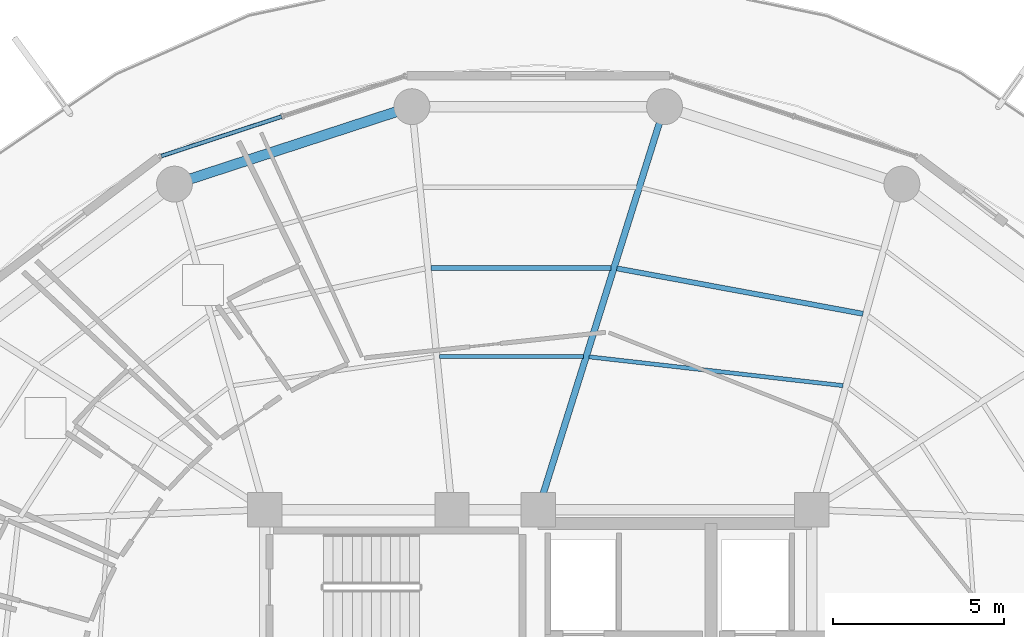
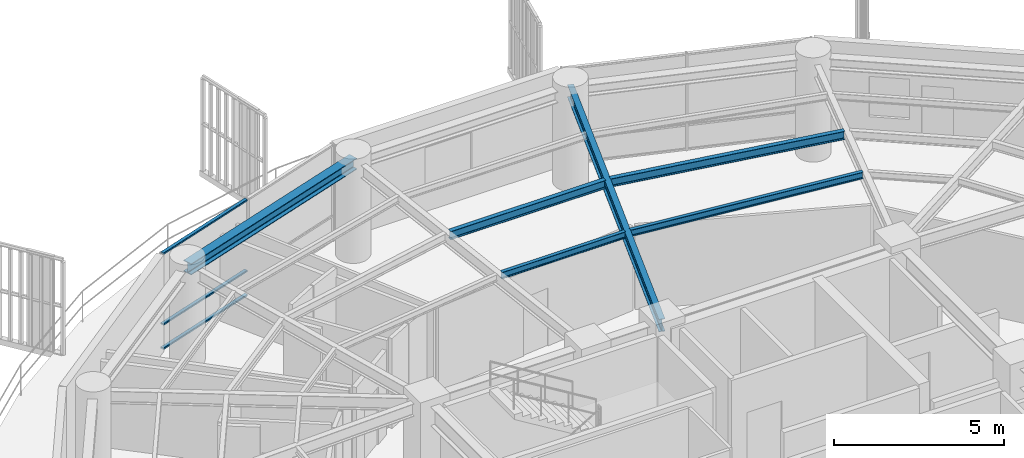
# One storey, part 19 of 31: 6 beams, 3 members, 1 element without a shape of its own.
"""IFC4 building model written with IfcOpenShell, lengths in metres."""

from ifc_helpers import new_model, si_unit, direction, frame, origin, origin_2d, place, context, subcontext, project, spatial, hollow_rectangle, i_section, extrude, material, layer, layer_set, material_profile, profile_set, type_object, element, aggregate, save


model = new_model("IFC4")

# Units and contexts
model_context = context("Model", 3, precision=1e-05, world=origin(), true_north=direction((0.0, 1.0)))
body_context = subcontext(model_context, "Body", "Model", "MODEL_VIEW")
ifc_project = project(units=[si_unit("LENGTHUNIT", "METRE"), si_unit("AREAUNIT", "SQUARE_METRE"), si_unit("VOLUMEUNIT", "CUBIC_METRE"), si_unit("PLANEANGLEUNIT", "RADIAN"), si_unit("MASSUNIT", "GRAM", prefix="KILO")], contexts=[model_context])

# Site, building, storey
site_placement = place(None, origin())
site = spatial("IfcSite", under=ifc_project, at=site_placement, CompositionType="ELEMENT")
building_placement = place(site_placement, origin())
building = spatial("IfcBuilding", under=site, at=building_placement, Name="Kelanora Arch Commons", CompositionType="ELEMENT")
storey_placement = place(building_placement, frame((0.0, 0.0, 219.449951171875)))
storey = spatial("IfcBuildingStorey", under=building, at=storey_placement, Name="L56", CompositionType="ELEMENT", Elevation=219.449951171875)

# Beams
ifc_material_1 = material(Name="Steel S355", Category="steel")
ifc_material_profile_1 = material_profile(ifc_material_1, i_section(OverallWidth=0.14990234375, OverallDepth=0.300048828125, WebThickness=0.007080078125, FlangeThickness=0.0107421875, FilletRadius=0.014892578125, at=origin_2d()), Name="IPE300")
ifc_profile_set_1 = profile_set([ifc_material_profile_1], Name="Steel S355")
beam_type_1 = type_object("IfcBeamType", Name="BM-JST-01", PredefinedType="JOIST", material=ifc_profile_set_1)
beam_1_placement = place(storey_placement, frame((83.50048828125, 70.729736328125, 3.340087890625), z_axis=(-0.983389964671, 0.181505309519, 0.0), x_axis=(-0.181505309519, -0.983389964671, 0.0)))
element("IfcBeam", 1, at=beam_1_placement, inside=storey, type_object=beam_type_1, Name="Secondary Chord Joist BJB-06 L56", PredefinedType="JOIST", context=body_context, shape_type="SweptSolid", body=[
    extrude(i_section(OverallWidth=0.14990234375, OverallDepth=0.300048828125, WebThickness=0.007080078125, FlangeThickness=0.0107421875, FilletRadius=0.014892578125, at=origin_2d()), origin(), (0.0, 0.0, 1.0), 7.3212890625),
])
beam_2_placement = place(storey_placement, frame((76.132080078125, 72.07421875, 3.340087890625), z_axis=(-1.0, 0.0, 0.0), x_axis=(0.0, -1.0, 0.0)))
element("IfcBeam", 2, at=beam_2_placement, inside=storey, type_object=beam_type_1, Name="Secondary Chord Joist BJB-08 L56", PredefinedType="JOIST", context=body_context, shape_type="SweptSolid", body=[
    extrude(i_section(OverallWidth=0.14990234375, OverallDepth=0.300048828125, WebThickness=0.007080078125, FlangeThickness=0.0107421875, FilletRadius=0.014892578125, at=origin_2d()), origin(), (0.0, 0.0, 1.0), 5.272216796875),
])
ifc_material_profile_2 = material_profile(ifc_material_1, i_section(OverallWidth=0.1201171875, OverallDepth=0.239990234375, WebThickness=0.006103515625, FlangeThickness=0.009765625, FilletRadius=0.014892578125, at=origin_2d()), Name="IPE240")
ifc_profile_set_2 = profile_set([ifc_material_profile_2], Name="Steel S355")
beam_type_2 = type_object("IfcBeamType", Name="BM-JST-02", PredefinedType="JOIST", material=ifc_profile_set_2)
beam_3_placement = place(storey_placement, frame((82.918701171875, 68.628662109375, 3.3701171875), z_axis=(-0.993639672263, 0.11260640171, 0.0), x_axis=(-0.11260640171, -0.993639672263, 0.0)))
element("IfcBeam", 3, at=beam_3_placement, inside=storey, type_object=beam_type_2, Name="Secondary Chord Joist BJA-06 L56", PredefinedType="JOIST", context=body_context, shape_type="SweptSolid", body=[
    extrude(i_section(OverallWidth=0.1201171875, OverallDepth=0.239990234375, WebThickness=0.006103515625, FlangeThickness=0.009765625, FilletRadius=0.014892578125, at=origin_2d()), origin(), (0.0, 0.0, 1.0), 7.477783203125),
])
beam_4_placement = place(storey_placement, frame((75.319091796875, 69.480224609375, 3.3701171875), z_axis=(-1.0, 0.0, 0.0), x_axis=(0.0, -1.0, 0.0)))
element("IfcBeam", 4, at=beam_4_placement, inside=storey, type_object=beam_type_2, Name="Secondary Chord Joist BJA-08 L56", PredefinedType="JOIST", context=body_context, shape_type="SweptSolid", body=[
    extrude(i_section(OverallWidth=0.1201171875, OverallDepth=0.239990234375, WebThickness=0.006103515625, FlangeThickness=0.009765625, FilletRadius=0.014892578125, at=origin_2d()), origin(), (0.0, 0.0, 1.0), 4.20068359375),
])
ifc_material_profile_3 = material_profile(ifc_material_1, i_section(OverallWidth=0.18994140625, OverallDepth=0.449951171875, WebThickness=0.009521484375, FlangeThickness=0.0146484375, FilletRadius=0.02099609375, at=origin_2d()), Name="IPE450")
ifc_profile_set_3 = profile_set([ifc_material_profile_3], Name="Steel S355")
beam_type_3 = type_object("IfcBeamType", Name="BM-RAD-Z4", PredefinedType="BEAM", material=ifc_profile_set_3)
beam_5_placement = place(storey_placement, frame((74.0, 65.0, 3.26513671875), z_axis=(0.299080457492, 0.954227897279, 0.0), x_axis=(-0.954227897279, 0.299080457492, 0.0)))
element("IfcBeam", 5, at=beam_5_placement, inside=storey, type_object=beam_type_3, Name="Radial Floor Girder BR-08 L56", PredefinedType="BEAM", context=body_context, shape_type="SweptSolid", body=[
    extrude(i_section(OverallWidth=0.18994140625, OverallDepth=0.449951171875, WebThickness=0.009521484375, FlangeThickness=0.0146484375, FilletRadius=0.02099609375, at=origin_2d()), origin(), (0.0, 0.0, 1.0), 12.35546875),
])
ifc_material_profile_4 = material_profile(ifc_material_1, i_section(OverallWidth=0.300048828125, OverallDepth=0.39990234375, WebThickness=0.013427734375, FlangeThickness=0.02392578125, FilletRadius=0.027099609375, at=origin_2d()), Name="HEB400")
ifc_profile_set_4 = profile_set([ifc_material_profile_4], Name="Steel S355")
beam_type_4 = type_object("IfcBeamType", Name="BM-SPN-Z4", PredefinedType="SPANDREL", material=ifc_profile_set_4)
beam_6_placement = place(storey_placement, frame((70.3046875, 76.7900390625, 3.2900390625), z_axis=(-0.950656361143, -0.310245842872, 0.0), x_axis=(0.310245842872, -0.950656361143, 0.0)))
element("IfcBeam", 6, at=beam_6_placement, inside=storey, type_object=beam_type_4, Name="Perimeter Spandrel Beam BS-10 L56", PredefinedType="SPANDREL", context=body_context, shape_type="SweptSolid", body=[
    extrude(i_section(OverallWidth=0.300048828125, OverallDepth=0.39990234375, WebThickness=0.013427734375, FlangeThickness=0.02392578125, FilletRadius=0.027099609375, at=origin_2d()), origin(), (0.0, 0.0, 1.0), 7.304931640625),
])

# Curtain wall, members
ifc_material_2 = material(Name="Terracotta ceramic-fritted low-E glass and aluminium", Category="masonry")
ifc_layer = layer(ifc_material_2, 0.175048828125)
ifc_layer_set = layer_set([ifc_layer], Name="Terracotta ceramic-fritted low-E glass and aluminium")
curtain_wall_type = type_object("IfcCurtainWallType", Name="CW-SYS-02", PredefinedType="NOTDEFINED", material=ifc_layer_set)
curtain_wall_placement = place(storey_placement, origin())
curtain_wall = element("IfcCurtainWall", 7, at=curtain_wall_placement, inside=storey, type_object=curtain_wall_type, Name="Unitised Curtain Wall L56-B05", PredefinedType="NOTDEFINED")
ifc_material_3 = material(Name="Powder-coated aluminium terracotta", Category="masonry")
ifc_material_profile_5 = material_profile(ifc_material_3, hollow_rectangle(XDim=0.1201171875, YDim=0.06005859375, WallThickness=0.0048828125, InnerFilletRadius=0.0048828125, OuterFilletRadius=0.010009765625, at=origin_2d()), Name="CWT120x60")
ifc_profile_set_5 = profile_set([ifc_material_profile_5], Name="Powder-coated aluminium terracotta")
member_type = type_object("IfcMemberType", Name="CWT-STD", PredefinedType="USERDEFINED", material=ifc_profile_set_5)
member_1_placement = place(storey_placement, frame((66.493896484375, 76.4990234375, 0.030029296875), z_axis=(-0.950226025222, -0.311561392011, 0.0), x_axis=(0.311561392011, -0.950226025222, 0.0)))
member_1 = element("IfcMember", 8, at=member_1_placement, type_object=member_type, Name="CW-02 transom 2.1", ObjectType="TRANSOM", PredefinedType="USERDEFINED", context=body_context, shape_type="SweptSolid", body=[
    extrude(hollow_rectangle(XDim=0.1201171875, YDim=0.06005859375, WallThickness=0.0048828125, InnerFilletRadius=0.0048828125, OuterFilletRadius=0.010009765625, at=origin_2d()), origin(), (0.0, 0.0, 1.0), 3.707275390625),
])
member_2_placement = place(storey_placement, frame((66.493896484375, 76.4990234375, 0.900146484375), z_axis=(-0.950226025222, -0.311561392011, 0.0), x_axis=(0.311561392011, -0.950226025222, 0.0)))
member_2 = element("IfcMember", 9, at=member_2_placement, type_object=member_type, Name="CW-02 transom 2.2", ObjectType="TRANSOM", PredefinedType="USERDEFINED", context=body_context, shape_type="SweptSolid", body=[
    extrude(hollow_rectangle(XDim=0.1201171875, YDim=0.06005859375, WallThickness=0.0048828125, InnerFilletRadius=0.0048828125, OuterFilletRadius=0.010009765625, at=origin_2d()), origin(), (0.0, 0.0, 1.0), 3.707275390625),
])
member_3_placement = place(storey_placement, frame((66.493896484375, 76.4990234375, 3.445068359375), z_axis=(-0.950226025222, -0.311561392011, 0.0), x_axis=(0.311561392011, -0.950226025222, 0.0)))
member_3 = element("IfcMember", 10, at=member_3_placement, type_object=member_type, Name="CW-02 transom 2.3", ObjectType="TRANSOM", PredefinedType="USERDEFINED", context=body_context, shape_type="SweptSolid", body=[
    extrude(hollow_rectangle(XDim=0.1201171875, YDim=0.06005859375, WallThickness=0.0048828125, InnerFilletRadius=0.0048828125, OuterFilletRadius=0.010009765625, at=origin_2d()), origin(), (0.0, 0.0, 1.0), 3.707275390625),
])
aggregate(curtain_wall, [member_1, member_2, member_3])

save(model, "model.ifc")
